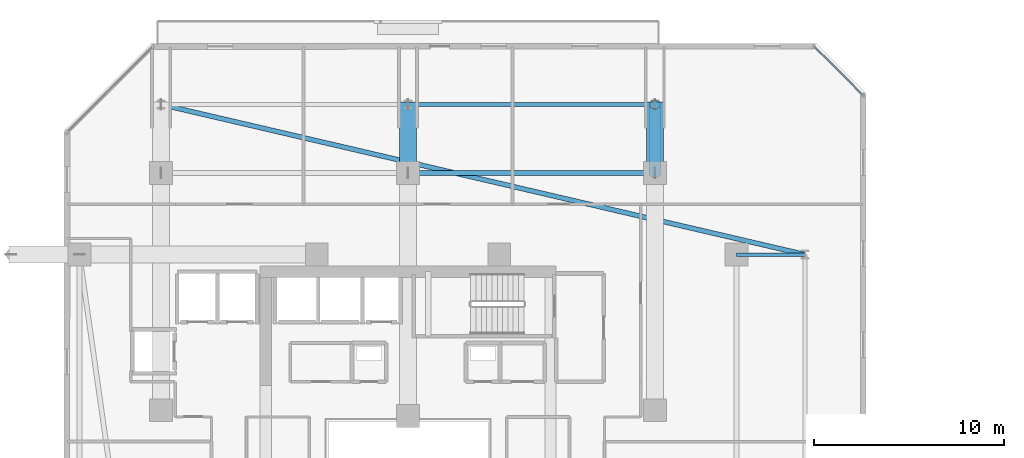
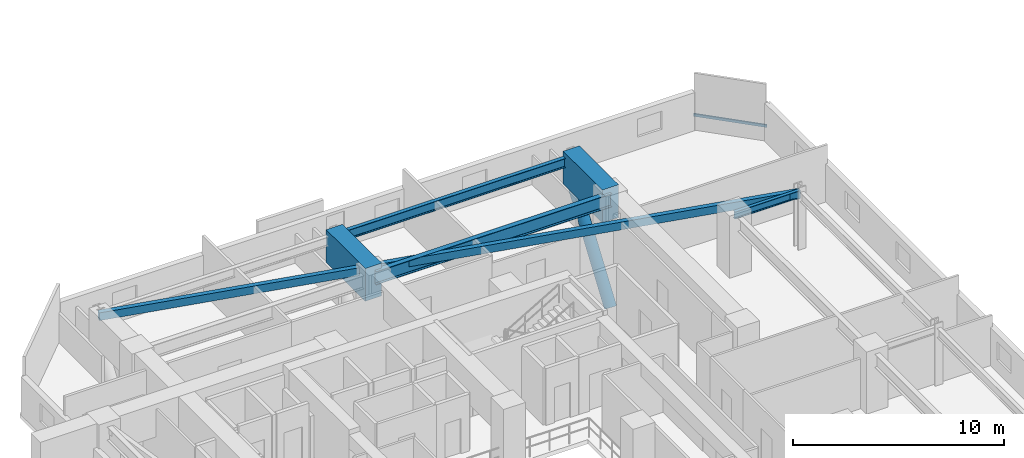
# One storey, part 9 of 36: 6 beams, 2 members, 1 element without a shape of its own.
"""IFC4 building model written with IfcOpenShell, lengths in metres."""

from ifc_helpers import new_model, si_unit, direction, frame, origin, origin_2d, place, context, subcontext, project, spatial, rectangle, hollow_rectangle, hollow_circle, i_section, extrude, material, material_profile, profile_set, type_object, element, aggregate, save


model = new_model("IFC4")

# Units and contexts
model_context = context("Model", 3, precision=1e-05, world=origin(), true_north=direction((0.0, 1.0)))
body_context = subcontext(model_context, "Body", "Model", "MODEL_VIEW")
ifc_project = project(units=[si_unit("LENGTHUNIT", "METRE"), si_unit("AREAUNIT", "SQUARE_METRE"), si_unit("VOLUMEUNIT", "CUBIC_METRE"), si_unit("PLANEANGLEUNIT", "RADIAN"), si_unit("MASSUNIT", "GRAM", prefix="KILO")], contexts=[model_context])

# Site, building, storey
site_placement = place(None, origin())
site = spatial("IfcSite", under=ifc_project, at=site_placement, CompositionType="ELEMENT")
building_placement = place(site_placement, origin())
building = spatial("IfcBuilding", under=site, at=building_placement, Name="Thornwick Lancets Civic Towers", CompositionType="ELEMENT")
storey_placement = place(building_placement, frame((0.0, 0.0, 94.5)))
storey = spatial("IfcBuildingStorey", under=building, at=storey_placement, Name="L24", CompositionType="ELEMENT", Elevation=94.5)

# Beams
ifc_material_1 = material(Name="Steel S355JR", Category="steel")
ifc_material_profile_1 = material_profile(ifc_material_1, i_section(OverallWidth=0.2119140625, OverallDepth=0.54443359375, WebThickness=0.0126953125, FlangeThickness=0.021240234375, FilletRadius=0.0126953125, at=origin_2d()), Name="UKB 533x210x122")
ifc_profile_set_1 = profile_set([ifc_material_profile_1], Name="Steel S355JR")
beam_type_1 = type_object("IfcBeamType", Name="BM_EDGE_533_122", PredefinedType="SPANDREL", material=ifc_profile_set_1)
beam_1_placement = place(storey_placement, frame((25.580078125, 47.89990234375, 3.047607421875), z_axis=(1.0, 0.0, 0.0), x_axis=(0.0, 1.0, 0.0)))
element("IfcBeam", 1, at=beam_1_placement, inside=storey, type_object=beam_type_1, Name="BM-EDGE-L24-A-S2-2", PredefinedType="SPANDREL", context=body_context, shape_type="SweptSolid", body=[
    extrude(i_section(OverallWidth=0.2119140625, OverallDepth=0.54443359375, WebThickness=0.0126953125, FlangeThickness=0.021240234375, FilletRadius=0.0126953125, at=origin_2d()), origin(), (0.0, 0.0, 1.0), 12.919921875),
])
ifc_material_profile_2 = material_profile(ifc_material_1, i_section(OverallWidth=0.26806640625, OverallDepth=0.769775390625, WebThickness=0.015625, FlangeThickness=0.025390625, FilletRadius=0.0166015625, at=origin_2d()), Name="UKB 762x267x197")
ifc_profile_set_2 = profile_set([ifc_material_profile_2], Name="Steel S355JR")
beam_type_2 = type_object("IfcBeamType", Name="BM_GIRD_762_197", PredefinedType="BEAM", material=ifc_profile_set_2)
beam_2_placement = place(storey_placement, frame((25.580078125, 44.300048828125, 2.93505859375), z_axis=(1.0, 0.0, 0.0), x_axis=(0.0, 1.0, 0.0)))
element("IfcBeam", 2, at=beam_2_placement, inside=storey, type_object=beam_type_2, Name="BM-SPINE-L24-A-7-8", PredefinedType="BEAM", context=body_context, shape_type="SweptSolid", body=[
    extrude(i_section(OverallWidth=0.26806640625, OverallDepth=0.769775390625, WebThickness=0.015625, FlangeThickness=0.025390625, FilletRadius=0.0166015625, at=origin_2d()), origin(), (0.0, 0.0, 1.0), 12.919921875),
])
ifc_material_profile_3 = material_profile(ifc_material_1, i_section(OverallWidth=0.179443359375, OverallDepth=0.412841796875, WebThickness=0.009521484375, FlangeThickness=0.01611328125, FilletRadius=0.01025390625, at=origin_2d()), Name="UKB 406x178x74")
ifc_profile_set_3 = profile_set([ifc_material_profile_3], Name="Steel S355JR")
beam_type_3 = type_object("IfcBeamType", Name="BM_JOIST_406_74", PredefinedType="JOIST", material=ifc_profile_set_3)
beam_3_placement = place(storey_placement, frame((42.800048828125, 40.0, 3.113525390625), z_axis=(1.0, 0.0, 0.0), x_axis=(0.0, 1.0, 0.0)))
element("IfcBeam", 3, at=beam_3_placement, inside=storey, type_object=beam_type_3, Name="BM-RAD-L24-A06", PredefinedType="JOIST", context=body_context, shape_type="SweptSolid", body=[
    extrude(i_section(OverallWidth=0.179443359375, OverallDepth=0.412841796875, WebThickness=0.009521484375, FlangeThickness=0.01611328125, FilletRadius=0.01025390625, at=origin_2d()), origin(), (0.0, 0.0, 1.0), 3.599853515625),
])
ifc_material_profile_4 = material_profile(ifc_material_1, hollow_rectangle(XDim=0.25, YDim=0.449951171875, WallThickness=0.01611328125, at=origin_2d()), Name="RHS 450x250x16")
ifc_profile_set_4 = profile_set([ifc_material_profile_4], Name="Steel S355JR")
beam_type_4 = type_object("IfcBeamType", Name="BM_RING_RHS450", PredefinedType="BEAM", material=ifc_profile_set_4)
beam_4_placement = place(storey_placement, frame((46.39990234375, 40.0, 3.094970703125), z_axis=(-0.973905219823, 0.226955111866, 0.0), x_axis=(-0.226955111866, -0.973905219823, 0.0)))
element("IfcBeam", 4, at=beam_4_placement, inside=storey, type_object=beam_type_4, Name="BM-CHAMF-L24-A-C1", PredefinedType="BEAM", context=body_context, shape_type="SweptSolid", body=[
    extrude(hollow_rectangle(XDim=0.25, YDim=0.449951171875, WallThickness=0.01611328125, at=origin_2d()), origin(), (0.0, 0.0, 1.0), 34.80810546875),
])
ifc_material_2 = material(Name="Concrete C60/75", Category="concrete")
ifc_material_profile_5 = material_profile(ifc_material_2, rectangle(XDim=0.89990234375, YDim=1.89990234375, at=origin_2d()), Name="RC 900x1900")
ifc_profile_set_5 = profile_set([ifc_material_profile_5], Name="Concrete C60/75")
beam_type_5 = type_object("IfcBeamType", Name="BM_TR_RC1900", PredefinedType="BEAM", material=ifc_profile_set_5)
for number, where, z_axis, x_axis, name in (
    (5, (25.5, 44.300048828125, 2.64990234375), (0.0, 1.0, 0.0), (-1.0, 0.0, 0.0), "TG-CANT-L25-A08"),
    (6, (38.5, 44.300048828125, 2.64990234375), (0.0, 1.0, 0.0), (-1.0, 0.0, 0.0), "TG-CANT-L25-A09"),
):
    element("IfcBeam", number, at=place(storey_placement, frame(where, z_axis=z_axis, x_axis=x_axis)), inside=storey, type_object=beam_type_5, Name=name, PredefinedType="BEAM", context=body_context, shape_type="SweptSolid", body=[
        extrude(rectangle(XDim=0.89990234375, YDim=1.89990234375, at=origin_2d()), origin(), (0.0, 0.0, 1.0), 3.719970703125),
    ])

# Curtain wall, member
ifc_material_3 = material(Name="Low-zone chamfered-corner unitised glass curtain wall", Category="glass")
curtain_wall_type = type_object("IfcCurtainWallType", Name="CW_SYS_03", PredefinedType="NOTDEFINED", material=ifc_material_3)
curtain_wall_placement = place(storey_placement, origin())
curtain_wall = element("IfcCurtainWall", 7, at=curtain_wall_placement, inside=storey, type_object=curtain_wall_type, Name="L24 Curtain Wall CW-L24-A-E3", PredefinedType="NOTDEFINED")
ifc_material_4 = material(Name="Thermally broken bronze aluminium S355", Category="steel")
ifc_material_profile_6 = material_profile(ifc_material_4, hollow_rectangle(XDim=0.074951171875, YDim=0.14990234375, WallThickness=0.0048828125, at=origin_2d()), Name="RHS 150x75x5")
ifc_profile_set_6 = profile_set([ifc_material_profile_6], Name="Thermally broken bronze aluminium S355")
member_type_1 = type_object("IfcMemberType", Name="CW_TRN_150", PredefinedType="USERDEFINED", material=ifc_profile_set_6)
member_1_placement = place(storey_placement, frame((49.45068359375, 48.3955078125, 0.85009765625), z_axis=(-0.707106781187, 0.707106781187, 0.0), x_axis=(-0.707106781187, -0.707106781187, 0.0)))
member_1 = element("IfcMember", 8, at=member_1_placement, type_object=member_type_1, Name="CW-L24-A-E3 Transom 0", ObjectType="TRANSOM", PredefinedType="USERDEFINED", context=body_context, shape_type="SweptSolid", body=[
    extrude(hollow_rectangle(XDim=0.074951171875, YDim=0.14990234375, WallThickness=0.0048828125, at=origin_2d()), origin(), (0.0, 0.0, 1.0), 3.613525390625),
])
aggregate(curtain_wall, [member_1])

# Member
ifc_material_5 = material(Name="Steel S460M", Category="steel")
ifc_material_profile_7 = material_profile(ifc_material_5, hollow_circle(Radius=0.304931640625, WallThickness=0.030029296875, at=origin_2d()), Name="CHS 610x30")
ifc_profile_set_7 = profile_set([ifc_material_profile_7], Name="Steel S460M")
member_type_2 = type_object("IfcMemberType", Name="MEM_STRUT_CHS610", PredefinedType="STRUT", material=ifc_profile_set_7)
member_2_placement = place(storey_placement, frame((38.5, 44.300048828125, -3.35009765625), z_axis=(0.0, 0.574400563042, 0.818574366308), x_axis=(-1.0, 0.0, 0.0)))
element("IfcMember", 9, at=member_2_placement, inside=storey, type_object=member_type_2, Name="L25 Jenga Transfer Raking Strut A09", PredefinedType="STRUT", context=body_context, shape_type="SweptSolid", body=[
    extrude(hollow_circle(Radius=0.304931640625, WallThickness=0.030029296875, at=origin_2d()), origin(), (0.0, 0.0, 1.0), 6.26708984375),
])

save(model, "model.ifc")
